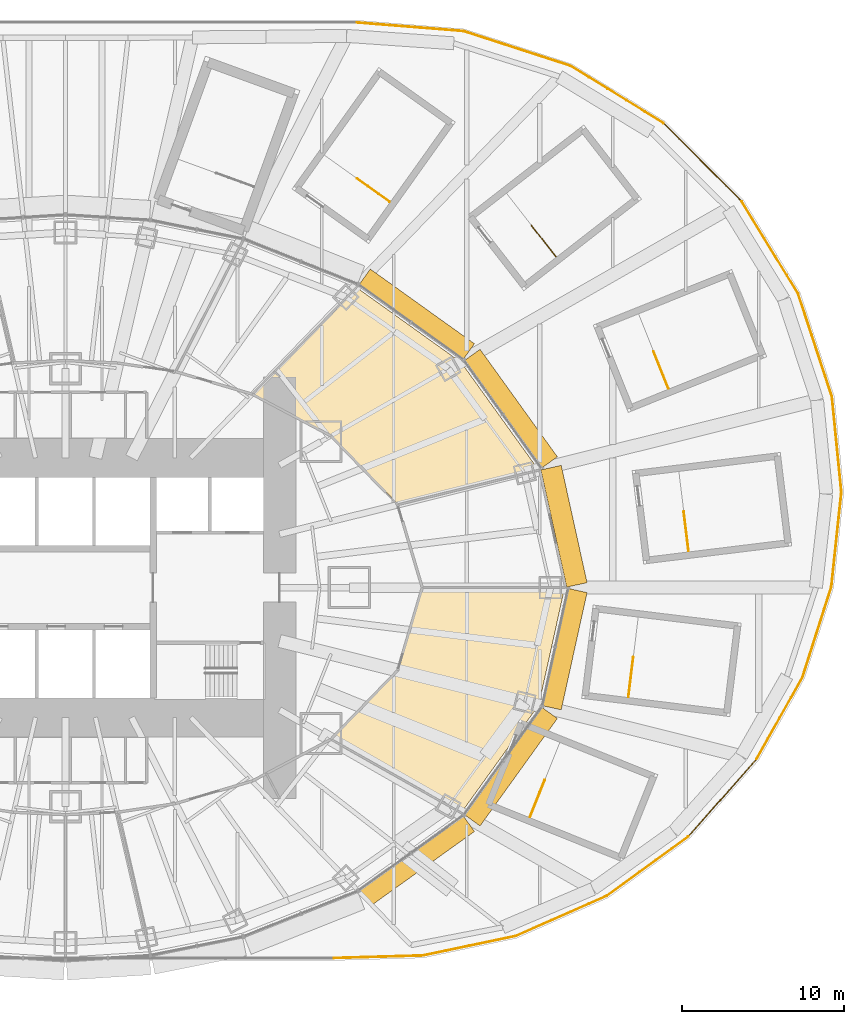
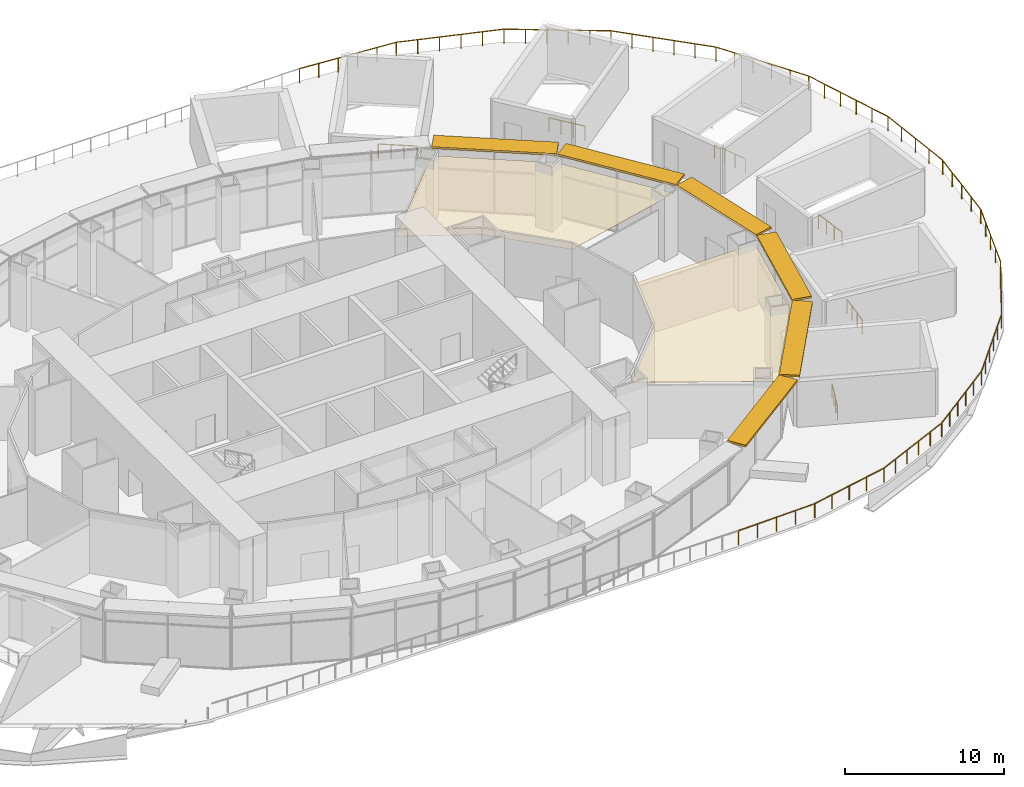
# One storey, part 25 of 25: 21 railings, 6 shading devices, 2 coverings.
"""IFC4 building model written with IfcOpenShell, lengths in metres."""

from ifc_helpers import new_model, si_unit, direction, frame, origin, origin_2d, place, context, subcontext, project, spatial, polyline, rectangle, circle, outline, extrude, material, layer, layer_set, type_object, element, save


model = new_model("IFC4")

# Units and contexts
model_context = context("Model", 3, precision=1e-05, world=origin(), true_north=direction((0.0, 1.0)))
body_context = subcontext(model_context, "Body", "Model", "MODEL_VIEW")
ifc_project = project(units=[si_unit("LENGTHUNIT", "METRE"), si_unit("AREAUNIT", "SQUARE_METRE"), si_unit("VOLUMEUNIT", "CUBIC_METRE"), si_unit("PLANEANGLEUNIT", "RADIAN"), si_unit("MASSUNIT", "GRAM", prefix="KILO")], contexts=[model_context])

# Site, building, storey
site_placement = place(None, origin())
site = spatial("IfcSite", under=ifc_project, at=site_placement, CompositionType="ELEMENT")
building_placement = place(site_placement, origin())
building = spatial("IfcBuilding", under=site, at=building_placement, Name="Lantaw Convention Tower", CompositionType="ELEMENT")
storey_placement = place(building_placement, frame((0.0, 0.0, 32.0)))
storey = spatial("IfcBuildingStorey", under=building, at=storey_placement, Name="L05", CompositionType="ELEMENT", Elevation=32.0)

# Railings
ifc_material_1 = material(Name="Stainless steel and laminated glass", Category="steel")
railing_type_1 = type_object("IfcRailingType", Name="Guard railing 1100", PredefinedType="GUARDRAIL", material=ifc_material_1)
railing_1_placement = place(storey_placement, frame((38.422607421875, 2.249267578125, 0.0)))
element("IfcRailing", 1, at=railing_1_placement, inside=storey, type_object=railing_type_1, Name="Stair well guard P1", PredefinedType="GUARDRAIL", context=body_context, shape_type="SweptSolid", body=[
    extrude(circle(Radius=0.02392578125, at=origin_2d()), frame((0.0, 0.0, 1.076171875), z_axis=(-0.121863746996, 0.992546838778, 0.0), x_axis=(-0.992546838778, -0.121863746996, 0.0)), (0.0, 0.0, 1.0), 2.4501953125),
    extrude(circle(Radius=0.02099609375, at=origin_2d()), origin(), (0.0, 0.0, 1.0), 1.052001953125),
    extrude(circle(Radius=0.02099609375, at=origin_2d()), frame((-0.099609375, 0.810546875, 0.0)), (0.0, 0.0, 1.0), 1.052001953125),
    extrude(circle(Radius=0.02099609375, at=origin_2d()), frame((-0.198974609375, 1.621337890625, 0.0)), (0.0, 0.0, 1.0), 1.052001953125),
    extrude(circle(Radius=0.02099609375, at=origin_2d()), frame((-0.298583984375, 2.431884765625, 0.0)), (0.0, 0.0, 1.0), 1.052001953125),
])
railing_2_placement = place(storey_placement, frame((37.177978515625, 12.28466796875, 0.0)))
element("IfcRailing", 2, at=railing_2_placement, inside=storey, type_object=railing_type_1, Name="Stair well guard P2", PredefinedType="GUARDRAIL", context=body_context, shape_type="SweptSolid", body=[
    extrude(circle(Radius=0.02392578125, at=origin_2d()), frame((0.0, 0.0, 1.076171875), z_axis=(-0.372575815602, 0.928001757341, 0.0), x_axis=(-0.928001757341, -0.372575815602, 0.0)), (0.0, 0.0, 1.0), 2.4501953125),
    extrude(circle(Radius=0.02099609375, at=origin_2d()), origin(), (0.0, 0.0, 1.0), 1.052001953125),
    extrude(circle(Radius=0.02099609375, at=origin_2d()), frame((-0.30419921875, 0.7578125, 0.0)), (0.0, 0.0, 1.0), 1.052001953125),
    extrude(circle(Radius=0.02099609375, at=origin_2d()), frame((-0.608642578125, 1.515869140625, 0.0)), (0.0, 0.0, 1.0), 1.052001953125),
    extrude(circle(Radius=0.02099609375, at=origin_2d()), frame((-0.912841796875, 2.273681640625, 0.0)), (0.0, 0.0, 1.0), 1.052001953125),
])
railing_3_placement = place(storey_placement, frame((30.231201171875, 20.4072265625, 0.0)))
element("IfcRailing", 3, at=railing_3_placement, inside=storey, type_object=railing_type_1, Name="Stair well guard P3", PredefinedType="GUARDRAIL", context=body_context, shape_type="SweptSolid", body=[
    extrude(circle(Radius=0.02392578125, at=origin_2d()), frame((0.0, 0.0, 1.076171875), z_axis=(-0.613906120807, 0.789379043829, 0.0), x_axis=(-0.789379043829, -0.613906120807, 0.0)), (0.0, 0.0, 1.0), 2.4501953125),
    extrude(circle(Radius=0.02099609375, at=origin_2d()), origin(), (0.0, 0.0, 1.0), 1.052001953125),
    extrude(circle(Radius=0.02099609375, at=origin_2d()), frame((-0.50146484375, 0.644775390625, 0.0)), (0.0, 0.0, 1.0), 1.052001953125),
    extrude(circle(Radius=0.02099609375, at=origin_2d()), frame((-1.002685546875, 1.289306640625, 0.0)), (0.0, 0.0, 1.0), 1.052001953125),
    extrude(circle(Radius=0.02099609375, at=origin_2d()), frame((-1.504150390625, 1.93408203125, 0.0)), (0.0, 0.0, 1.0), 1.052001953125),
])
railing_4_placement = place(storey_placement, frame((19.982421875, 23.79541015625, 0.0)))
element("IfcRailing", 4, at=railing_4_placement, inside=storey, type_object=railing_type_1, Name="Stair well guard P4", PredefinedType="GUARDRAIL", context=body_context, shape_type="SweptSolid", body=[
    extrude(circle(Radius=0.02392578125, at=origin_2d()), frame((0.0, 0.0, 1.076171875), z_axis=(-0.814143989402, 0.580663038708, 0.0), x_axis=(-0.580663038708, -0.814143989402, 0.0)), (0.0, 0.0, 1.0), 2.449951171875),
    extrude(circle(Radius=0.02099609375, at=origin_2d()), origin(), (0.0, 0.0, 1.0), 1.052001953125),
    extrude(circle(Radius=0.02099609375, at=origin_2d()), frame((-0.664794921875, 0.47412109375, 0.0)), (0.0, 0.0, 1.0), 1.052001953125),
    extrude(circle(Radius=0.02099609375, at=origin_2d()), frame((-1.329833984375, 0.948486328125, 0.0)), (0.0, 0.0, 1.0), 1.052001953125),
    extrude(circle(Radius=0.02099609375, at=origin_2d()), frame((-1.99462890625, 1.422607421875, 0.0)), (0.0, 0.0, 1.0), 1.052001953125),
])
railing_5_placement = place(storey_placement, frame((28.639404296875, -14.136962890625, 0.0)))
element("IfcRailing", 5, at=railing_5_placement, inside=storey, type_object=railing_type_1, Name="Stair well guard P12", PredefinedType="GUARDRAIL", context=body_context, shape_type="SweptSolid", body=[
    extrude(circle(Radius=0.02392578125, at=origin_2d()), frame((0.0, 0.0, 1.076171875), z_axis=(0.37248999709, 0.928036207304, 0.0), x_axis=(-0.928036207304, 0.37248999709, 0.0)), (0.0, 0.0, 1.0), 2.449951171875),
    extrude(circle(Radius=0.02099609375, at=origin_2d()), origin(), (0.0, 0.0, 1.0), 1.052001953125),
    extrude(circle(Radius=0.02099609375, at=origin_2d()), frame((0.30419921875, 0.7578125, 0.0)), (0.0, 0.0, 1.0), 1.052001953125),
    extrude(circle(Radius=0.02099609375, at=origin_2d()), frame((0.6083984375, 1.515869140625, 0.0)), (0.0, 0.0, 1.0), 1.052001953125),
    extrude(circle(Radius=0.02099609375, at=origin_2d()), frame((0.91259765625, 2.273681640625, 0.0)), (0.0, 0.0, 1.0), 1.052001953125),
])
railing_6_placement = place(storey_placement, frame((34.711181640625, -6.73046875, 0.0)))
element("IfcRailing", 6, at=railing_6_placement, inside=storey, type_object=railing_type_1, Name="Stair well guard P13", PredefinedType="GUARDRAIL", context=body_context, shape_type="SweptSolid", body=[
    extrude(circle(Radius=0.02392578125, at=origin_2d()), frame((0.0, 0.0, 1.076171875), z_axis=(0.121863746996, 0.992546838778, 0.0), x_axis=(-0.992546838778, 0.121863746996, 0.0)), (0.0, 0.0, 1.0), 2.4501953125),
    extrude(circle(Radius=0.02099609375, at=origin_2d()), origin(), (0.0, 0.0, 1.0), 1.052001953125),
    extrude(circle(Radius=0.02099609375, at=origin_2d()), frame((0.099609375, 0.810546875, 0.0)), (0.0, 0.0, 1.0), 1.052001953125),
    extrude(circle(Radius=0.02099609375, at=origin_2d()), frame((0.198974609375, 1.621337890625, 0.0)), (0.0, 0.0, 1.0), 1.052001953125),
    extrude(circle(Radius=0.02099609375, at=origin_2d()), frame((0.298583984375, 2.431884765625, 0.0)), (0.0, 0.0, 1.0), 1.052001953125),
])

# Coverings
ifc_material_2 = material(Name="Gypsum board on steel suspension grid", Category="steel")
ifc_layer = layer(ifc_material_2, 0.02001953125)
ifc_layer_set = layer_set([ifc_layer], Name="Suspended ceiling")
covering_type = type_object("IfcCoveringType", Name="Suspended ceiling", PredefinedType="CEILING", material=ifc_layer_set)
covering_1_placement = place(storey_placement, frame((0.0, 0.0, 4.25)))
element("IfcCovering", 7, at=covering_1_placement, inside=storey, type_object=covering_type, Name="Reception and concierge ceiling", PredefinedType="CEILING", context=body_context, shape_type="SweptSolid", body=[
    extrude(outline(polyline([(20.49658203125, 5.151611328125), (29.155029296875, 7.2783203125), (24.406005859375, 13.880126953125), (17.97509765625, 18.4892578125), (11.58447265625, 11.93798828125), (16.393310546875, 9.38623046875), (20.49658203125, 5.151611328125)])), origin(), (0.0, 0.0, 1.0), 0.02001953125),
])
covering_2_placement = place(storey_placement, frame((0.0, 0.0, 4.25)))
element("IfcCovering", 8, at=covering_2_placement, inside=storey, type_object=covering_type, Name="Tour and travel office ceiling", PredefinedType="CEILING", context=body_context, shape_type="SweptSolid", body=[
    extrude(outline(polyline([(16.433837890625, -9.344482421875), (24.423095703125, -13.8564453125), (29.184814453125, -7.237060546875), (30.77099609375, -0.0400390625), (22.02978515625, -0.0400390625), (20.51953125, -5.1279296875), (16.433837890625, -9.344482421875)])), origin(), (0.0, 0.0, 1.0), 0.02001953125),
])

# Railings
ifc_material_3 = material(Name="Stainless steel posts and laminated glass, pale silver finish", Category="steel")
railing_type_2 = type_object("IfcRailingType", Name="Terrace guard railing 1100", PredefinedType="GUARDRAIL", material=ifc_material_3)
railing_7_placement = place(storey_placement, frame((47.22509765625, 0.03125, 0.0)))
element("IfcRailing", 9, at=railing_7_placement, inside=storey, type_object=railing_type_2, Name="Terrace guard", PredefinedType="GUARDRAIL", context=body_context, shape_type="SweptSolid", body=[
    extrude(circle(Radius=0.02392578125, at=origin_2d()), frame((0.0, 0.0, 1.076171875), z_axis=(0.105840067106, 0.994383165684, 0.0), x_axis=(-0.994383165684, 0.105840067106, 0.0)), (0.0, 0.0, 1.0), 5.89599609375),
    extrude(circle(Radius=0.02099609375, at=origin_2d()), origin(), (0.0, 0.0, 1.0), 1.052001953125),
    extrude(circle(Radius=0.02099609375, at=origin_2d()), frame((0.156005859375, 1.4658203125, 0.0)), (0.0, 0.0, 1.0), 1.052001953125),
    extrude(circle(Radius=0.02099609375, at=origin_2d()), frame((0.31201171875, 2.931396484375, 0.0)), (0.0, 0.0, 1.0), 1.052001953125),
    extrude(circle(Radius=0.02099609375, at=origin_2d()), frame((0.468017578125, 4.39697265625, 0.0)), (0.0, 0.0, 1.0), 1.052001953125),
    extrude(circle(Radius=0.02099609375, at=origin_2d()), frame((0.6240234375, 5.86279296875, 0.0)), (0.0, 0.0, 1.0), 1.052001953125),
])
railing_8_placement = place(storey_placement, frame((47.84912109375, 5.89404296875, 0.0)))
element("IfcRailing", 10, at=railing_8_placement, inside=storey, type_object=railing_type_2, Name="Terrace guard", PredefinedType="GUARDRAIL", context=body_context, shape_type="SweptSolid", body=[
    extrude(circle(Radius=0.02392578125, at=origin_2d()), frame((0.0, 0.0, 1.076171875), z_axis=(-0.099067135766, 0.995080751804, 0.0), x_axis=(-0.995080751804, -0.099067135766, 0.0)), (0.0, 0.0, 1.0), 5.92431640625),
    extrude(circle(Radius=0.02099609375, at=origin_2d()), origin(), (0.0, 0.0, 1.0), 1.052001953125),
    extrude(circle(Radius=0.02099609375, at=origin_2d()), frame((-0.146728515625, 1.473876953125, 0.0)), (0.0, 0.0, 1.0), 1.052001953125),
    extrude(circle(Radius=0.02099609375, at=origin_2d()), frame((-0.29345703125, 2.94775390625, 0.0)), (0.0, 0.0, 1.0), 1.052001953125),
    extrude(circle(Radius=0.02099609375, at=origin_2d()), frame((-0.440185546875, 4.42138671875, 0.0)), (0.0, 0.0, 1.0), 1.052001953125),
    extrude(circle(Radius=0.02099609375, at=origin_2d()), frame((-0.5869140625, 5.895263671875, 0.0)), (0.0, 0.0, 1.0), 1.052001953125),
])
railing_9_placement = place(storey_placement, frame((47.26220703125, 11.789306640625, 0.0)))
element("IfcRailing", 11, at=railing_9_placement, inside=storey, type_object=railing_type_2, Name="Terrace guard", PredefinedType="GUARDRAIL", context=body_context, shape_type="SweptSolid", body=[
    extrude(circle(Radius=0.02392578125, at=origin_2d()), frame((0.0, 0.0, 1.076171875), z_axis=(-0.312625031764, 0.949876618048, 0.0), x_axis=(-0.949876618048, -0.312625031764, 0.0)), (0.0, 0.0, 1.0), 6.67236328125),
    extrude(circle(Radius=0.02099609375, at=origin_2d()), origin(), (0.0, 0.0, 1.0), 1.052001953125),
    extrude(circle(Radius=0.02099609375, at=origin_2d()), frame((-0.417236328125, 1.267578125, 0.0)), (0.0, 0.0, 1.0), 1.052001953125),
    extrude(circle(Radius=0.02099609375, at=origin_2d()), frame((-0.83447265625, 2.53515625, 0.0)), (0.0, 0.0, 1.0), 1.052001953125),
    extrude(circle(Radius=0.02099609375, at=origin_2d()), frame((-1.25146484375, 3.802734375, 0.0)), (0.0, 0.0, 1.0), 1.052001953125),
    extrude(circle(Radius=0.02099609375, at=origin_2d()), frame((-1.668701171875, 5.0703125, 0.0)), (0.0, 0.0, 1.0), 1.052001953125),
    extrude(circle(Radius=0.02099609375, at=origin_2d()), frame((-2.0859375, 6.337890625, 0.0)), (0.0, 0.0, 1.0), 1.052001953125),
])
railing_10_placement = place(storey_placement, frame((45.17626953125, 18.127197265625, 0.0)))
element("IfcRailing", 12, at=railing_10_placement, inside=storey, type_object=railing_type_2, Name="Terrace guard", PredefinedType="GUARDRAIL", context=body_context, shape_type="SweptSolid", body=[
    extrude(circle(Radius=0.02392578125, at=origin_2d()), frame((0.0, 0.0, 1.076171875), z_axis=(-0.522231720502, 0.852803629273, 0.0), x_axis=(-0.852803629273, -0.522231720502, 0.0)), (0.0, 0.0, 1.0), 6.65576171875),
    extrude(circle(Radius=0.02099609375, at=origin_2d()), origin(), (0.0, 0.0, 1.0), 1.052001953125),
    extrude(circle(Radius=0.02099609375, at=origin_2d()), frame((-0.695068359375, 1.13525390625, 0.0)), (0.0, 0.0, 1.0), 1.052001953125),
    extrude(circle(Radius=0.02099609375, at=origin_2d()), frame((-1.390380859375, 2.2705078125, 0.0)), (0.0, 0.0, 1.0), 1.052001953125),
    extrude(circle(Radius=0.02099609375, at=origin_2d()), frame((-2.08544921875, 3.405517578125, 0.0)), (0.0, 0.0, 1.0), 1.052001953125),
    extrude(circle(Radius=0.02099609375, at=origin_2d()), frame((-2.78076171875, 4.540771484375, 0.0)), (0.0, 0.0, 1.0), 1.052001953125),
    extrude(circle(Radius=0.02099609375, at=origin_2d()), frame((-3.475830078125, 5.676025390625, 0.0)), (0.0, 0.0, 1.0), 1.052001953125),
])
railing_11_placement = place(storey_placement, frame((41.700439453125, 23.80322265625, 0.0)))
element("IfcRailing", 13, at=railing_11_placement, inside=storey, type_object=railing_type_2, Name="Terrace guard", PredefinedType="GUARDRAIL", context=body_context, shape_type="SweptSolid", body=[
    extrude(circle(Radius=0.02392578125, at=origin_2d()), frame((0.0, 0.0, 1.076171875), z_axis=(-0.705871725524, 0.708339683419, 0.0), x_axis=(-0.708339683419, -0.705871725524, 0.0)), (0.0, 0.0, 1.0), 6.82568359375),
    extrude(circle(Radius=0.02099609375, at=origin_2d()), origin(), (0.0, 0.0, 1.0), 1.052001953125),
    extrude(circle(Radius=0.02099609375, at=origin_2d()), frame((-0.963623046875, 0.967041015625, 0.0)), (0.0, 0.0, 1.0), 1.052001953125),
    extrude(circle(Radius=0.02099609375, at=origin_2d()), frame((-1.92724609375, 1.93408203125, 0.0)), (0.0, 0.0, 1.0), 1.052001953125),
    extrude(circle(Radius=0.02099609375, at=origin_2d()), frame((-2.890869140625, 2.90087890625, 0.0)), (0.0, 0.0, 1.0), 1.052001953125),
    extrude(circle(Radius=0.02099609375, at=origin_2d()), frame((-3.8544921875, 3.867919921875, 0.0)), (0.0, 0.0, 1.0), 1.052001953125),
    extrude(circle(Radius=0.02099609375, at=origin_2d()), frame((-4.818115234375, 4.8349609375, 0.0)), (0.0, 0.0, 1.0), 1.052001953125),
])
railing_12_placement = place(storey_placement, frame((36.88232421875, 28.63818359375, 0.0)))
element("IfcRailing", 14, at=railing_12_placement, inside=storey, type_object=railing_type_2, Name="Terrace guard", PredefinedType="GUARDRAIL", context=body_context, shape_type="SweptSolid", body=[
    extrude(circle(Radius=0.02392578125, at=origin_2d()), frame((0.0, 0.0, 1.076171875), z_axis=(-0.85180120499, 0.523865161255, 0.0), x_axis=(-0.523865161255, -0.85180120499, 0.0)), (0.0, 0.0, 1.0), 6.744873046875),
    extrude(circle(Radius=0.02099609375, at=origin_2d()), origin(), (0.0, 0.0, 1.0), 1.052001953125),
    extrude(circle(Radius=0.02099609375, at=origin_2d()), frame((-1.149169921875, 0.706787109375, 0.0)), (0.0, 0.0, 1.0), 1.052001953125),
    extrude(circle(Radius=0.02099609375, at=origin_2d()), frame((-2.298095703125, 1.413330078125, 0.0)), (0.0, 0.0, 1.0), 1.052001953125),
    extrude(circle(Radius=0.02099609375, at=origin_2d()), frame((-3.447265625, 2.1201171875, 0.0)), (0.0, 0.0, 1.0), 1.052001953125),
    extrude(circle(Radius=0.02099609375, at=origin_2d()), frame((-4.59619140625, 2.82666015625, 0.0)), (0.0, 0.0, 1.0), 1.052001953125),
    extrude(circle(Radius=0.02099609375, at=origin_2d()), frame((-5.745361328125, 3.533447265625, 0.0)), (0.0, 0.0, 1.0), 1.052001953125),
])
railing_13_placement = place(storey_placement, frame((31.136962890625, 32.171630859375, 0.0)))
element("IfcRailing", 15, at=railing_13_placement, inside=storey, type_object=railing_type_2, Name="Terrace guard", PredefinedType="GUARDRAIL", context=body_context, shape_type="SweptSolid", body=[
    extrude(circle(Radius=0.02392578125, at=origin_2d()), frame((0.0, 0.0, 1.076171875), z_axis=(-0.951132196766, 0.308783976714, 0.0), x_axis=(-0.308783976714, -0.951132196766, 0.0)), (0.0, 0.0, 1.0), 6.926025390625),
    extrude(circle(Radius=0.02099609375, at=origin_2d()), origin(), (0.0, 0.0, 1.0), 1.052001953125),
    extrude(circle(Radius=0.02099609375, at=origin_2d()), frame((-1.317626953125, 0.427734375, 0.0)), (0.0, 0.0, 1.0), 1.052001953125),
    extrude(circle(Radius=0.02099609375, at=origin_2d()), frame((-2.635009765625, 0.85546875, 0.0)), (0.0, 0.0, 1.0), 1.052001953125),
    extrude(circle(Radius=0.02099609375, at=origin_2d()), frame((-3.95263671875, 1.283203125, 0.0)), (0.0, 0.0, 1.0), 1.052001953125),
    extrude(circle(Radius=0.02099609375, at=origin_2d()), frame((-5.27001953125, 1.7109375, 0.0)), (0.0, 0.0, 1.0), 1.052001953125),
    extrude(circle(Radius=0.02099609375, at=origin_2d()), frame((-6.587646484375, 2.138671875, 0.0)), (0.0, 0.0, 1.0), 1.052001953125),
])
railing_14_placement = place(storey_placement, frame((24.54931640625, 34.310302734375, 0.0)))
element("IfcRailing", 16, at=railing_14_placement, inside=storey, type_object=railing_type_2, Name="Terrace guard", PredefinedType="GUARDRAIL", context=body_context, shape_type="SweptSolid", body=[
    extrude(circle(Radius=0.02392578125, at=origin_2d()), frame((0.0, 0.0, 1.076171875), z_axis=(-0.996791174242, 0.080045955263, 0.0), x_axis=(-0.080045955263, -0.996791174242, 0.0)), (0.0, 0.0, 1.0), 6.74365234375),
    extrude(circle(Radius=0.02099609375, at=origin_2d()), origin(), (0.0, 0.0, 1.0), 1.052001953125),
    extrude(circle(Radius=0.02099609375, at=origin_2d()), frame((-1.344482421875, 0.10791015625, 0.0)), (0.0, 0.0, 1.0), 1.052001953125),
    extrude(circle(Radius=0.02099609375, at=origin_2d()), frame((-2.688720703125, 0.2158203125, 0.0)), (0.0, 0.0, 1.0), 1.052001953125),
    extrude(circle(Radius=0.02099609375, at=origin_2d()), frame((-4.033203125, 0.323974609375, 0.0)), (0.0, 0.0, 1.0), 1.052001953125),
    extrude(circle(Radius=0.02099609375, at=origin_2d()), frame((-5.37744140625, 0.431884765625, 0.0)), (0.0, 0.0, 1.0), 1.052001953125),
    extrude(circle(Radius=0.02099609375, at=origin_2d()), frame((-6.721923828125, 0.539794921875, 0.0)), (0.0, 0.0, 1.0), 1.052001953125),
])
railing_15_placement = place(storey_placement, frame((16.403564453125, -22.85009765625, 0.0)))
element("IfcRailing", 17, at=railing_15_placement, inside=storey, type_object=railing_type_2, Name="Terrace guard", PredefinedType="GUARDRAIL", context=body_context, shape_type="SweptSolid", body=[
    extrude(circle(Radius=0.02392578125, at=origin_2d()), frame((0.0, 0.0, 1.076171875), z_axis=(0.999591238046, 0.028589452986, 0.0), x_axis=(-0.028589452986, 0.999591238046, 0.0)), (0.0, 0.0, 1.0), 5.635986328125),
    extrude(circle(Radius=0.02099609375, at=origin_2d()), origin(), (0.0, 0.0, 1.0), 1.052001953125),
    extrude(circle(Radius=0.02099609375, at=origin_2d()), frame((1.408447265625, 0.040283203125, 0.0)), (0.0, 0.0, 1.0), 1.052001953125),
    extrude(circle(Radius=0.02099609375, at=origin_2d()), frame((2.81689453125, 0.08056640625, 0.0)), (0.0, 0.0, 1.0), 1.052001953125),
    extrude(circle(Radius=0.02099609375, at=origin_2d()), frame((4.225341796875, 0.120849609375, 0.0)), (0.0, 0.0, 1.0), 1.052001953125),
    extrude(circle(Radius=0.02099609375, at=origin_2d()), frame((5.6337890625, 0.1611328125, 0.0)), (0.0, 0.0, 1.0), 1.052001953125),
])
railing_16_placement = place(storey_placement, frame((22.037353515625, -22.68896484375, 0.0)))
element("IfcRailing", 18, at=railing_16_placement, inside=storey, type_object=railing_type_2, Name="Terrace guard", PredefinedType="GUARDRAIL", context=body_context, shape_type="SweptSolid", body=[
    extrude(circle(Radius=0.02392578125, at=origin_2d()), frame((0.0, 0.0, 1.076171875), z_axis=(0.97862672508, 0.205644676469, 0.0), x_axis=(-0.205644676469, 0.97862672508, 0.0)), (0.0, 0.0, 1.0), 5.852783203125),
    extrude(circle(Radius=0.02099609375, at=origin_2d()), origin(), (0.0, 0.0, 1.0), 1.052001953125),
    extrude(circle(Radius=0.02099609375, at=origin_2d()), frame((1.431884765625, 0.30078125, 0.0)), (0.0, 0.0, 1.0), 1.052001953125),
    extrude(circle(Radius=0.02099609375, at=origin_2d()), frame((2.86376953125, 0.601806640625, 0.0)), (0.0, 0.0, 1.0), 1.052001953125),
    extrude(circle(Radius=0.02099609375, at=origin_2d()), frame((4.2958984375, 0.90283203125, 0.0)), (0.0, 0.0, 1.0), 1.052001953125),
    extrude(circle(Radius=0.02099609375, at=origin_2d()), frame((5.727783203125, 1.20361328125, 0.0)), (0.0, 0.0, 1.0), 1.052001953125),
])
railing_17_placement = place(storey_placement, frame((27.76513671875, -21.4853515625, 0.0)))
element("IfcRailing", 19, at=railing_17_placement, inside=storey, type_object=railing_type_2, Name="Terrace guard", PredefinedType="GUARDRAIL", context=body_context, shape_type="SweptSolid", body=[
    extrude(circle(Radius=0.02392578125, at=origin_2d()), frame((0.0, 0.0, 1.076171875), z_axis=(0.914841584014, 0.403812922228, 0.0), x_axis=(-0.403812922228, 0.914841584014, 0.0)), (0.0, 0.0, 1.0), 6.15966796875),
    extrude(circle(Radius=0.02099609375, at=origin_2d()), origin(), (0.0, 0.0, 1.0), 1.052001953125),
    extrude(circle(Radius=0.02099609375, at=origin_2d()), frame((1.126953125, 0.49755859375, 0.0)), (0.0, 0.0, 1.0), 1.052001953125),
    extrude(circle(Radius=0.02099609375, at=origin_2d()), frame((2.25390625, 0.994873046875, 0.0)), (0.0, 0.0, 1.0), 1.052001953125),
    extrude(circle(Radius=0.02099609375, at=origin_2d()), frame((3.381103515625, 1.492431640625, 0.0)), (0.0, 0.0, 1.0), 1.052001953125),
    extrude(circle(Radius=0.02099609375, at=origin_2d()), frame((4.508056640625, 1.98974609375, 0.0)), (0.0, 0.0, 1.0), 1.052001953125),
    extrude(circle(Radius=0.02099609375, at=origin_2d()), frame((5.635009765625, 2.4873046875, 0.0)), (0.0, 0.0, 1.0), 1.052001953125),
])
railing_18_placement = place(storey_placement, frame((33.400146484375, -18.998046875, 0.0)))
element("IfcRailing", 20, at=railing_18_placement, inside=storey, type_object=railing_type_2, Name="Terrace guard", PredefinedType="GUARDRAIL", context=body_context, shape_type="SweptSolid", body=[
    extrude(circle(Radius=0.02392578125, at=origin_2d()), frame((0.0, 0.0, 1.076171875), z_axis=(0.807915680188, 0.589298102581, 0.0), x_axis=(-0.589298102581, 0.807915680188, 0.0)), (0.0, 0.0, 1.0), 6.19580078125),
    extrude(circle(Radius=0.02099609375, at=origin_2d()), origin(), (0.0, 0.0, 1.0), 1.052001953125),
    extrude(circle(Radius=0.02099609375, at=origin_2d()), frame((1.001220703125, 0.730224609375, 0.0)), (0.0, 0.0, 1.0), 1.052001953125),
    extrude(circle(Radius=0.02099609375, at=origin_2d()), frame((2.002197265625, 1.46044921875, 0.0)), (0.0, 0.0, 1.0), 1.052001953125),
    extrude(circle(Radius=0.02099609375, at=origin_2d()), frame((3.00341796875, 2.190673828125, 0.0)), (0.0, 0.0, 1.0), 1.052001953125),
    extrude(circle(Radius=0.02099609375, at=origin_2d()), frame((4.00439453125, 2.9208984375, 0.0)), (0.0, 0.0, 1.0), 1.052001953125),
    extrude(circle(Radius=0.02099609375, at=origin_2d()), frame((5.005615234375, 3.651123046875, 0.0)), (0.0, 0.0, 1.0), 1.052001953125),
])
railing_19_placement = place(storey_placement, frame((38.40576171875, -15.346923828125, 0.0)))
element("IfcRailing", 21, at=railing_19_placement, inside=storey, type_object=railing_type_2, Name="Terrace guard", PredefinedType="GUARDRAIL", context=body_context, shape_type="SweptSolid", body=[
    extrude(circle(Radius=0.02392578125, at=origin_2d()), frame((0.0, 0.0, 1.076171875), z_axis=(0.661179044012, 0.750228146472, 0.0), x_axis=(-0.750228146472, 0.661179044012, 0.0)), (0.0, 0.0, 1.0), 6.368896484375),
    extrude(circle(Radius=0.02099609375, at=origin_2d()), origin(), (0.0, 0.0, 1.0), 1.052001953125),
    extrude(circle(Radius=0.02099609375, at=origin_2d()), frame((0.84228515625, 0.95556640625, 0.0)), (0.0, 0.0, 1.0), 1.052001953125),
    extrude(circle(Radius=0.02099609375, at=origin_2d()), frame((1.684326171875, 1.9111328125, 0.0)), (0.0, 0.0, 1.0), 1.052001953125),
    extrude(circle(Radius=0.02099609375, at=origin_2d()), frame((2.526611328125, 2.866943359375, 0.0)), (0.0, 0.0, 1.0), 1.052001953125),
    extrude(circle(Radius=0.02099609375, at=origin_2d()), frame((3.36865234375, 3.822509765625, 0.0)), (0.0, 0.0, 1.0), 1.052001953125),
    extrude(circle(Radius=0.02099609375, at=origin_2d()), frame((4.2109375, 4.778076171875, 0.0)), (0.0, 0.0, 1.0), 1.052001953125),
])
railing_20_placement = place(storey_placement, frame((42.61669921875, -10.56884765625, 0.0)))
element("IfcRailing", 22, at=railing_20_placement, inside=storey, type_object=railing_type_2, Name="Terrace guard", PredefinedType="GUARDRAIL", context=body_context, shape_type="SweptSolid", body=[
    extrude(circle(Radius=0.02392578125, at=origin_2d()), frame((0.0, 0.0, 1.076171875), z_axis=(0.489560149533, 0.871969529278, 0.0), x_axis=(-0.871969529278, 0.489560149533, 0.0)), (0.0, 0.0, 1.0), 5.771484375),
    extrude(circle(Radius=0.02099609375, at=origin_2d()), origin(), (0.0, 0.0, 1.0), 1.052001953125),
    extrude(circle(Radius=0.02099609375, at=origin_2d()), frame((0.706298828125, 1.258056640625, 0.0)), (0.0, 0.0, 1.0), 1.052001953125),
    extrude(circle(Radius=0.02099609375, at=origin_2d()), frame((1.41259765625, 2.51611328125, 0.0)), (0.0, 0.0, 1.0), 1.052001953125),
    extrude(circle(Radius=0.02099609375, at=origin_2d()), frame((2.119140625, 3.7744140625, 0.0)), (0.0, 0.0, 1.0), 1.052001953125),
    extrude(circle(Radius=0.02099609375, at=origin_2d()), frame((2.825439453125, 5.032470703125, 0.0)), (0.0, 0.0, 1.0), 1.052001953125),
])
railing_21_placement = place(storey_placement, frame((45.442138671875, -5.536376953125, 0.0)))
element("IfcRailing", 23, at=railing_21_placement, inside=storey, type_object=railing_type_2, Name="Terrace guard", PredefinedType="GUARDRAIL", context=body_context, shape_type="SweptSolid", body=[
    extrude(circle(Radius=0.02392578125, at=origin_2d()), frame((0.0, 0.0, 1.076171875), z_axis=(0.3049802821, 0.952358665383, 0.0), x_axis=(-0.952358665383, 0.3049802821, 0.0)), (0.0, 0.0, 1.0), 5.84619140625),
    extrude(circle(Radius=0.02099609375, at=origin_2d()), origin(), (0.0, 0.0, 1.0), 1.052001953125),
    extrude(circle(Radius=0.02099609375, at=origin_2d()), frame((0.44580078125, 1.391845703125, 0.0)), (0.0, 0.0, 1.0), 1.052001953125),
    extrude(circle(Radius=0.02099609375, at=origin_2d()), frame((0.8916015625, 2.78369140625, 0.0)), (0.0, 0.0, 1.0), 1.052001953125),
    extrude(circle(Radius=0.02099609375, at=origin_2d()), frame((1.337158203125, 4.17578125, 0.0)), (0.0, 0.0, 1.0), 1.052001953125),
    extrude(circle(Radius=0.02099609375, at=origin_2d()), frame((1.782958984375, 5.567626953125, 0.0)), (0.0, 0.0, 1.0), 1.052001953125),
])

# Shading devices
shading_device_1_placement = place(storey_placement, frame((30.737060546875, 3.783203125, 4.705078125), z_axis=(0.0, 0.0, 1.0), x_axis=(-0.215246056391, 0.976559847223, 0.0)))
element("IfcShadingDevice", 24, at=shading_device_1_placement, inside=storey, Name="SUNSHADE blade", ObjectType="SUNSHADE", PredefinedType="USERDEFINED", context=body_context, shape_type="SweptSolid", body=[
    extrude(rectangle(XDim=7.40234375, YDim=1.284912109375, at=origin_2d()), origin(), (0.0, 0.0, 1.0), 0.14990234375),
])
shading_device_2_placement = place(storey_placement, frame((27.425048828125, 11.005859375, 4.705078125), z_axis=(0.0, 0.0, 1.0), x_axis=(-0.583951250436, 0.811788726895, 0.0)))
element("IfcShadingDevice", 25, at=shading_device_2_placement, inside=storey, Name="SUNSHADE blade", ObjectType="SUNSHADE", PredefinedType="USERDEFINED", context=body_context, shape_type="SweptSolid", body=[
    extrude(rectangle(XDim=8.162841796875, YDim=1.284912109375, at=origin_2d()), origin(), (0.0, 0.0, 1.0), 0.14990234375),
])
for number, where, z_axis, x_axis, name in (
    (26, (21.63232421875, 16.818603515625, 4.705078125), (0.0, 0.0, 1.0), (-0.812803733199, 0.5825376308, 0.0), "SUNSHADE blade"),
    (27, (21.63232421875, -16.818603515625, 4.705078125), (0.0, 0.0, 1.0), (0.812803733199, 0.5825376308, 0.0), "SUNSHADE blade"),
):
    element("IfcShadingDevice", number, at=place(storey_placement, frame(where, z_axis=z_axis, x_axis=x_axis)), inside=storey, Name=name, ObjectType="SUNSHADE", PredefinedType="USERDEFINED", context=body_context, shape_type="SweptSolid", body=[
        extrude(rectangle(XDim=7.9033203125, YDim=1.284912109375, at=origin_2d()), origin(), (0.0, 0.0, 1.0), 0.14990234375),
    ])
shading_device_3_placement = place(storey_placement, frame((27.425048828125, -11.005859375, 4.705078125), z_axis=(0.0, 0.0, 1.0), x_axis=(0.583951250436, 0.811788726895, 0.0)))
element("IfcShadingDevice", 28, at=shading_device_3_placement, inside=storey, Name="SUNSHADE blade", ObjectType="SUNSHADE", PredefinedType="USERDEFINED", context=body_context, shape_type="SweptSolid", body=[
    extrude(rectangle(XDim=8.162841796875, YDim=1.284912109375, at=origin_2d()), origin(), (0.0, 0.0, 1.0), 0.14990234375),
])
shading_device_4_placement = place(storey_placement, frame((30.737060546875, -3.783203125, 4.705078125), z_axis=(0.0, 0.0, 1.0), x_axis=(0.215246056391, 0.976559847223, 0.0)))
element("IfcShadingDevice", 29, at=shading_device_4_placement, inside=storey, Name="SUNSHADE blade", ObjectType="SUNSHADE", PredefinedType="USERDEFINED", context=body_context, shape_type="SweptSolid", body=[
    extrude(rectangle(XDim=7.40234375, YDim=1.284912109375, at=origin_2d()), origin(), (0.0, 0.0, 1.0), 0.14990234375),
])

save(model, "model.ifc")
